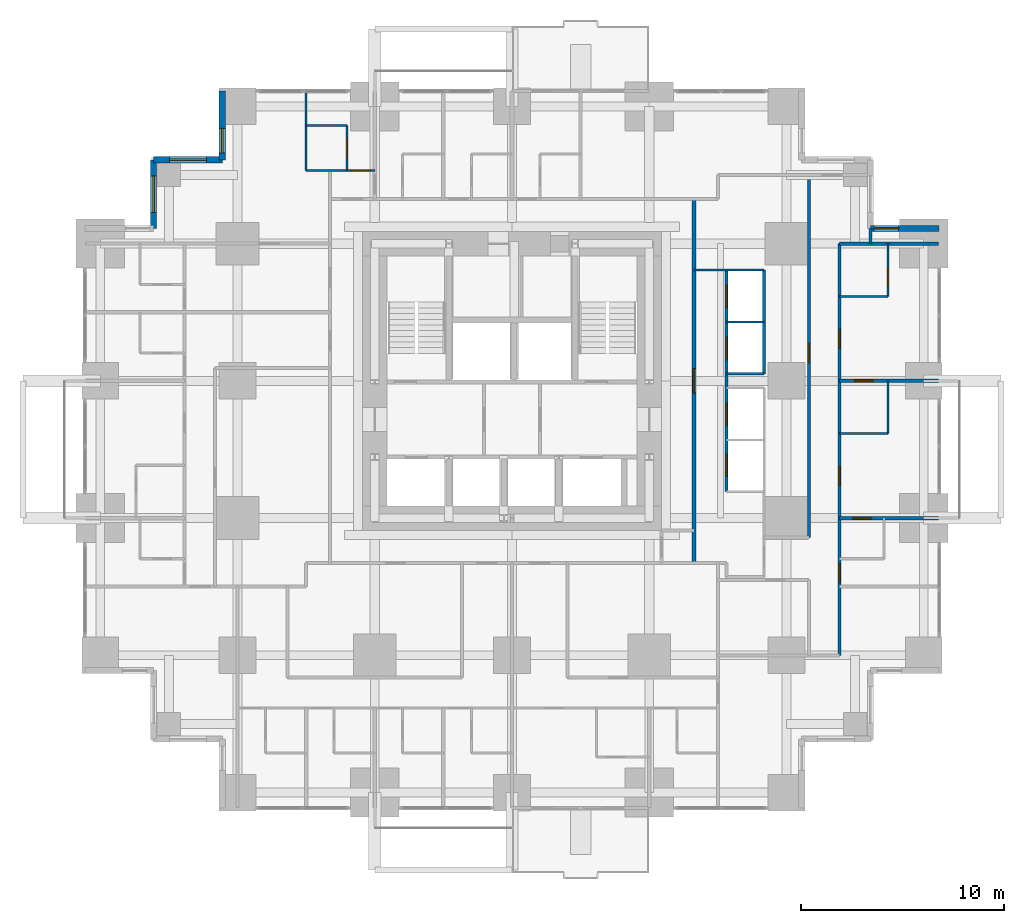
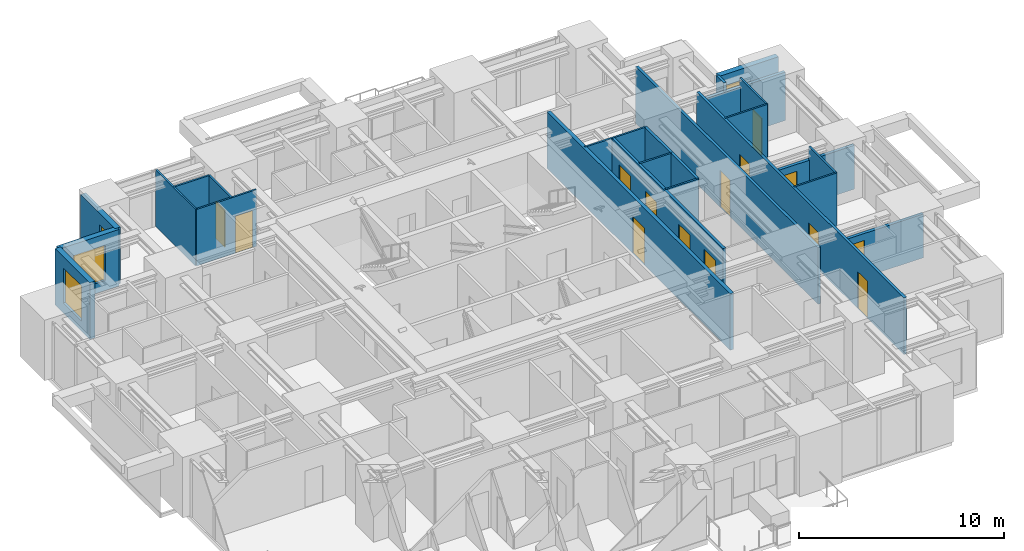
# One storey, part 10 of 13: 24 walls, 14 doors, 4 windows, 18 openings.
"""IFC4 building model written with IfcOpenShell, lengths in metres."""

from ifc_helpers import new_model, si_unit, direction, frame, frame_2d, origin, place, context, subcontext, project, spatial, rectangle, extrude, material, layer, layer_set, type_object, element, fill, save


model = new_model("IFC4")

# Units and contexts
model_context = context("Model", 3, precision=1e-05, world=origin(), true_north=direction((0.0, 1.0)))
body_context = subcontext(model_context, "Body", "Model", "MODEL_VIEW")
ifc_project = project(units=[si_unit("LENGTHUNIT", "METRE"), si_unit("AREAUNIT", "SQUARE_METRE"), si_unit("VOLUMEUNIT", "CUBIC_METRE"), si_unit("PLANEANGLEUNIT", "RADIAN"), si_unit("MASSUNIT", "GRAM", prefix="KILO")], contexts=[model_context])

# Site, building, storey
site_placement = place(None, origin())
site = spatial("IfcSite", under=ifc_project, at=site_placement, CompositionType="ELEMENT")
building_placement = place(site_placement, origin())
building = spatial("IfcBuilding", under=site, at=building_placement, Name="Nyansa Garden Tower", CompositionType="ELEMENT")
storey_placement = place(building_placement, frame((0.0, 0.0, 83.699951171875)))
storey = spatial("IfcBuildingStorey", under=building, at=storey_placement, Name="L22", CompositionType="ELEMENT", Elevation=83.699951171875)

# Wall, opening, door
ifc_material_1 = material(Name="Dense blockwork, plastered both sides, 55 dB", Category="masonry")
ifc_layer_1 = layer(ifc_material_1, 0.175048828125)
ifc_layer_set_1 = layer_set([ifc_layer_1], Name="Acoustic party wall PW175")
wall_type_1 = type_object("IfcWallType", Name="Acoustic party wall PW175", PredefinedType="PARTITIONING", material=ifc_layer_set_1)
wall_1_placement = place(storey_placement, frame((36.35009765625, 13.5, 0.0), z_axis=(0.0, 0.0, 1.0), x_axis=(1.0, 0.0, 0.0)))
wall_1 = element("IfcWall", 1, at=wall_1_placement, inside=storey, type_object=wall_type_1, Name="Party wall", PredefinedType="PARTITIONING", context=body_context, shape_type="SweptSolid", body=[
    extrude(rectangle(XDim=4.8837890625, YDim=0.175048828125, at=frame_2d((2.44189453125, 0.0))), origin(), (0.0, 0.0, 1.0), 2.610107421875),
])
opening_1_placement = place(wall_1_placement, frame((0.64990234375, 0.0, 0.0)))
opening_1 = element("IfcOpeningElement", 2, at=opening_1_placement, cuts=wall_1, Name="Opening D02", PredefinedType="OPENING", context=body_context, shape_type="SweptSolid", body=[
    extrude(rectangle(XDim=0.89990234375, YDim=2.199951171875, at=frame_2d((0.449951171875, 1.10009765625))), frame((0.0, 0.097412109375, 0.0), z_axis=(0.0, -1.0, 0.0), x_axis=(1.0, 0.0, 0.0)), (0.0, 0.0, 1.0), 0.195068359375),
])
ifc_material_2 = material(Name="Timber flush door", Category="wood")
door_type_1 = type_object("IfcDoorType", Name="En-suite door D02 900x2200", OperationType="SINGLE_SWING_RIGHT", PredefinedType="DOOR", material=ifc_material_2)
door_1_placement = place(opening_1_placement, origin())
door_1 = element("IfcDoor", 3, at=door_1_placement, inside=storey, type_object=door_type_1, Name="Door L22-040", OperationType="SINGLE_SWING_RIGHT", OverallHeight=2.199951171875, OverallWidth=0.89990234375, PredefinedType="DOOR", context=body_context, shape_type="SweptSolid", body=[
    extrude(rectangle(XDim=0.89990234375, YDim=2.199951171875, at=frame_2d((0.449951171875, 1.10009765625))), frame((0.0, 0.02490234375, 0.0), z_axis=(0.0, -1.0, 0.0), x_axis=(1.0, 0.0, 0.0)), (0.0, 0.0, 1.0), 0.050048828125),
])
fill(opening_1, door_1)

wall_2_placement = place(storey_placement, frame((36.35009765625, 20.25, 0.0), z_axis=(0.0, 0.0, 1.0), x_axis=(1.0, 0.0, 0.0)))
wall_2 = element("IfcWall", 4, at=wall_2_placement, inside=storey, type_object=wall_type_1, Name="Party wall", PredefinedType="PARTITIONING", context=body_context, shape_type="SweptSolid", body=[
    extrude(rectangle(XDim=4.8837890625, YDim=0.175048828125, at=frame_2d((2.44189453125, 0.0))), origin(), (0.0, 0.0, 1.0), 2.610107421875),
])
opening_2_placement = place(wall_2_placement, frame((0.75, 0.0, 0.0)))
opening_2 = element("IfcOpeningElement", 5, at=opening_2_placement, cuts=wall_2, Name="Opening D02", PredefinedType="OPENING", context=body_context, shape_type="SweptSolid", body=[
    extrude(rectangle(XDim=0.89990234375, YDim=2.199951171875, at=frame_2d((0.449951171875, 1.10009765625))), frame((0.0, 0.097412109375, 0.0), z_axis=(0.0, -1.0, 0.0), x_axis=(1.0, 0.0, 0.0)), (0.0, 0.0, 1.0), 0.195068359375),
])
door_2_placement = place(opening_2_placement, origin())
door_2 = element("IfcDoor", 6, at=door_2_placement, inside=storey, type_object=door_type_1, Name="Door L22-038", OperationType="SINGLE_SWING_RIGHT", OverallHeight=2.199951171875, OverallWidth=0.89990234375, PredefinedType="DOOR", context=body_context, shape_type="SweptSolid", body=[
    extrude(rectangle(XDim=0.89990234375, YDim=2.199951171875, at=frame_2d((0.449951171875, 1.10009765625))), frame((0.0, 0.02490234375, 0.0), z_axis=(0.0, -1.0, 0.0), x_axis=(1.0, 0.0, 0.0)), (0.0, 0.0, 1.0), 0.050048828125),
])
fill(opening_2, door_2)

# Wall
wall_3_placement = place(storey_placement, frame((36.35009765625, 27.0, 0.0), z_axis=(0.0, 0.0, 1.0), x_axis=(1.0, 0.0, 0.0)))
element("IfcWall", 7, at=wall_3_placement, inside=storey, type_object=wall_type_1, Name="Party wall", PredefinedType="PARTITIONING", context=body_context, shape_type="SweptSolid", body=[
    extrude(rectangle(XDim=4.8837890625, YDim=0.175048828125, at=frame_2d((2.44189453125, 0.0))), origin(), (0.0, 0.0, 1.0), 2.876953125),
])

# Wall, opening, door
ifc_material_3 = material(Name="Concrete blockwork, plastered, 60 minute fire resisting", Category="masonry")
ifc_layer_2 = layer(ifc_material_3, 0.199951171875)
ifc_layer_set_2 = layer_set([ifc_layer_2], Name="Corridor wall FW200")
wall_type_2 = type_object("IfcWallType", Name="Corridor wall FW200", PredefinedType="PARTITIONING", material=ifc_layer_set_2)
wall_4_placement = place(storey_placement, frame((29.199951171875, 11.300048828125, 0.0), z_axis=(0.0, 0.0, 1.0), x_axis=(0.0, 1.0, 0.0)))
wall_4 = element("IfcWall", 8, at=wall_4_placement, inside=storey, type_object=wall_type_2, Name="Corridor wall", PredefinedType="PARTITIONING", context=body_context, shape_type="SweptSolid", body=[
    extrude(rectangle(XDim=17.89990234375, YDim=0.199951171875, at=frame_2d((8.949951171875, 0.0))), origin(), (0.0, 0.0, 1.0), 3.375),
])
opening_3_placement = place(wall_4_placement, frame((8.35009765625, 0.0, 0.0)))
opening_3 = element("IfcOpeningElement", 9, at=opening_3_placement, cuts=wall_4, Name="Opening D06", PredefinedType="OPENING", context=body_context, shape_type="SweptSolid", body=[
    extrude(rectangle(XDim=1.199951171875, YDim=2.199951171875, at=frame_2d((0.60009765625, 1.10009765625))), frame((0.0, 0.10986328125, 0.0), z_axis=(0.0, -1.0, 0.0), x_axis=(1.0, 0.0, 0.0)), (0.0, 0.0, 1.0), 0.219970703125),
])
ifc_material_4 = material(Name="Steel door, 120 minute fire resisting", Category="steel")
door_type_2 = type_object("IfcDoorType", Name="Lobby door D06 1200x2200", OperationType="DOUBLE_DOOR_SINGLE_SWING", PredefinedType="DOOR", material=ifc_material_4)
door_3_placement = place(opening_3_placement, origin())
door_3 = element("IfcDoor", 10, at=door_3_placement, inside=storey, type_object=door_type_2, Name="Low-rise lift lobby door", OperationType="DOUBLE_DOOR_SINGLE_SWING", OverallHeight=2.199951171875, OverallWidth=1.199951171875, PredefinedType="DOOR", context=body_context, shape_type="SweptSolid", body=[
    extrude(rectangle(XDim=1.199951171875, YDim=2.199951171875, at=frame_2d((0.60009765625, 1.10009765625))), frame((0.0, 0.02490234375, 0.0), z_axis=(0.0, -1.0, 0.0), x_axis=(1.0, 0.0, 0.0)), (0.0, 0.0, 1.0), 0.050048828125),
])
fill(opening_3, door_3)

# Walls
ifc_material_5 = material(Name="Steel-stud shaft wall, two layers fire-rated board, EI 120", Category="steel")
ifc_layer_3 = layer(ifc_material_5, 0.10009765625)
ifc_layer_set_3 = layer_set([ifc_layer_3], Name="Lift shaft wall SW100")
wall_type_3 = type_object("IfcWallType", Name="Lift shaft wall SW100", PredefinedType="SHEAR", material=ifc_layer_set_3)
wall_5_placement = place(storey_placement, frame((29.199951171875, 25.699951171875, 0.0), z_axis=(0.0, 0.0, 1.0), x_axis=(1.0, 0.0, 0.0)))
element("IfcWall", 11, at=wall_5_placement, inside=storey, type_object=wall_type_3, Name="Lift shaft wall", PredefinedType="SHEAR", context=body_context, shape_type="SweptSolid", body=[
    extrude(rectangle(XDim=3.449951171875, YDim=0.10009765625, at=frame_2d((1.72509765625, 0.0))), origin(), (0.0, 0.0, 1.0), 3.375),
])
for number, where, z_axis, x_axis, name in (
    (12, (30.800048828125, 20.60009765625, 0.0), (0.0, 0.0, 1.0), (1.0, 0.0, 0.0), "Lift shaft wall"),
    (13, (30.800048828125, 23.14990234375, 0.0), (0.0, 0.0, 1.0), (1.0, 0.0, 0.0), "Lift shaft wall"),
):
    element("IfcWall", number, at=place(storey_placement, frame(where, z_axis=z_axis, x_axis=x_axis)), inside=storey, type_object=wall_type_3, Name=name, PredefinedType="SHEAR", context=body_context, shape_type="SweptSolid", body=[
        extrude(rectangle(XDim=1.849853515625, YDim=0.10009765625, at=frame_2d((0.9248046875, 0.0))), origin(), (0.0, 0.0, 1.0), 3.375),
    ])

# Wall, openings, doors
ifc_material_6 = material(Name="Blockwork, plastered both sides", Category="masonry")
ifc_layer_4 = layer(ifc_material_6, 0.14990234375)
ifc_layer_set_4 = layer_set([ifc_layer_4], Name="Partition PW150")
wall_type_4 = type_object("IfcWallType", Name="Partition PW150", PredefinedType="PARTITIONING", material=ifc_layer_set_4)
wall_6_placement = place(storey_placement, frame((30.800048828125, 14.800048828125, 0.0), z_axis=(0.0, 0.0, 1.0), x_axis=(0.0, 1.0, 0.0)))
wall_6 = element("IfcWall", 14, at=wall_6_placement, inside=storey, type_object=wall_type_4, Name="Partition", PredefinedType="PARTITIONING", context=body_context, shape_type="SweptSolid", body=[
    extrude(rectangle(XDim=10.89990234375, YDim=0.14990234375, at=frame_2d((5.449951171875, 0.0))), origin(), (0.0, 0.0, 1.0), 3.375),
])
opening_4_placement = place(wall_6_placement, frame((0.75, 0.0, 0.0)))
opening_4 = element("IfcOpeningElement", 15, at=opening_4_placement, cuts=wall_6, Name="Opening LD-A", PredefinedType="OPENING", context=body_context, shape_type="SweptSolid", body=[
    extrude(rectangle(XDim=1.10009765625, YDim=2.199951171875, at=frame_2d((0.550048828125, 1.10009765625))), frame((0.0, 0.0849609375, 0.0), z_axis=(0.0, -1.0, 0.0), x_axis=(1.0, 0.0, 0.0)), (0.0, 0.0, 1.0), 0.169921875),
])
opening_5_placement = place(wall_6_placement, frame((3.25, 0.0, 0.0)))
opening_5 = element("IfcOpeningElement", 16, at=opening_5_placement, cuts=wall_6, Name="Opening LD-A", PredefinedType="OPENING", context=body_context, shape_type="SweptSolid", body=[
    extrude(rectangle(XDim=1.10009765625, YDim=2.199951171875, at=frame_2d((0.550048828125, 1.10009765625))), frame((0.0, 0.0849609375, 0.0), z_axis=(0.0, -1.0, 0.0), x_axis=(1.0, 0.0, 0.0)), (0.0, 0.0, 1.0), 0.169921875),
])
opening_6_placement = place(wall_6_placement, frame((6.5, 0.0, 0.0)))
opening_6 = element("IfcOpeningElement", 17, at=opening_6_placement, cuts=wall_6, Name="Opening LD-A", PredefinedType="OPENING", context=body_context, shape_type="SweptSolid", body=[
    extrude(rectangle(XDim=1.10009765625, YDim=2.199951171875, at=frame_2d((0.550048828125, 1.10009765625))), frame((0.0, 0.0849609375, 0.0), z_axis=(0.0, -1.0, 0.0), x_axis=(1.0, 0.0, 0.0)), (0.0, 0.0, 1.0), 0.169921875),
])
opening_7_placement = place(wall_6_placement, frame((9.050048828125, 0.0, 0.0)))
opening_7 = element("IfcOpeningElement", 18, at=opening_7_placement, cuts=wall_6, Name="Opening LD-A", PredefinedType="OPENING", context=body_context, shape_type="SweptSolid", body=[
    extrude(rectangle(XDim=1.10009765625, YDim=2.199951171875, at=frame_2d((0.550048828125, 1.10009765625))), frame((0.0, 0.0849609375, 0.0), z_axis=(0.0, -1.0, 0.0), x_axis=(1.0, 0.0, 0.0)), (0.0, 0.0, 1.0), 0.169921875),
])
ifc_material_7 = material(Name="Stainless steel centre-opening landing door of the low-rise lift, E 120", Category="steel")
door_type_3 = type_object("IfcDoorType", Name="Lift landing door LD-A 1100x2200", OperationType="DOUBLE_DOOR_SLIDING", PredefinedType="DOOR", material=ifc_material_7)
door_4_placement = place(opening_4_placement, origin())
door_4 = element("IfcDoor", 19, at=door_4_placement, inside=storey, type_object=door_type_3, Name="Landing door A1", OperationType="DOUBLE_DOOR_SLIDING", OverallHeight=2.199951171875, OverallWidth=1.10009765625, PredefinedType="DOOR", context=body_context, shape_type="SweptSolid", body=[
    extrude(rectangle(XDim=1.10009765625, YDim=2.199951171875, at=frame_2d((0.550048828125, 1.10009765625))), frame((0.0, 0.02490234375, 0.0), z_axis=(0.0, -1.0, 0.0), x_axis=(1.0, 0.0, 0.0)), (0.0, 0.0, 1.0), 0.050048828125),
])
fill(opening_4, door_4)
door_5_placement = place(opening_5_placement, origin())
door_5 = element("IfcDoor", 20, at=door_5_placement, inside=storey, type_object=door_type_3, Name="Landing door A2", OperationType="DOUBLE_DOOR_SLIDING", OverallHeight=2.199951171875, OverallWidth=1.10009765625, PredefinedType="DOOR", context=body_context, shape_type="SweptSolid", body=[
    extrude(rectangle(XDim=1.10009765625, YDim=2.199951171875, at=frame_2d((0.550048828125, 1.10009765625))), frame((0.0, 0.02490234375, 0.0), z_axis=(0.0, -1.0, 0.0), x_axis=(1.0, 0.0, 0.0)), (0.0, 0.0, 1.0), 0.050048828125),
])
fill(opening_5, door_5)
door_6_placement = place(opening_6_placement, origin())
door_6 = element("IfcDoor", 21, at=door_6_placement, inside=storey, type_object=door_type_3, Name="Landing door A3", OperationType="DOUBLE_DOOR_SLIDING", OverallHeight=2.199951171875, OverallWidth=1.10009765625, PredefinedType="DOOR", context=body_context, shape_type="SweptSolid", body=[
    extrude(rectangle(XDim=1.10009765625, YDim=2.199951171875, at=frame_2d((0.550048828125, 1.10009765625))), frame((0.0, 0.02490234375, 0.0), z_axis=(0.0, -1.0, 0.0), x_axis=(1.0, 0.0, 0.0)), (0.0, 0.0, 1.0), 0.050048828125),
])
fill(opening_6, door_6)
door_7_placement = place(opening_7_placement, origin())
door_7 = element("IfcDoor", 22, at=door_7_placement, inside=storey, type_object=door_type_3, Name="Landing door A4", OperationType="DOUBLE_DOOR_SLIDING", OverallHeight=2.199951171875, OverallWidth=1.10009765625, PredefinedType="DOOR", context=body_context, shape_type="SweptSolid", body=[
    extrude(rectangle(XDim=1.10009765625, YDim=2.199951171875, at=frame_2d((0.550048828125, 1.10009765625))), frame((0.0, 0.02490234375, 0.0), z_axis=(0.0, -1.0, 0.0), x_axis=(1.0, 0.0, 0.0)), (0.0, 0.0, 1.0), 0.050048828125),
])
fill(opening_7, door_7)

# Wall
wall_7_placement = place(storey_placement, frame((32.64990234375, 20.60009765625, 0.0), z_axis=(0.0, 0.0, 1.0), x_axis=(0.0, 1.0, 0.0)))
element("IfcWall", 23, at=wall_7_placement, inside=storey, type_object=wall_type_4, Name="Partition", PredefinedType="PARTITIONING", context=body_context, shape_type="SweptSolid", body=[
    extrude(rectangle(XDim=5.099853515625, YDim=0.14990234375, at=frame_2d((2.5498046875, 0.0))), origin(), (0.0, 0.0, 1.0), 3.375),
])

# Wall, opening, door
wall_8_placement = place(storey_placement, frame((34.85009765625, 12.550048828125, 0.0), z_axis=(0.0, 0.0, 1.0), x_axis=(0.0, 1.0, 0.0)))
wall_8 = element("IfcWall", 24, at=wall_8_placement, inside=storey, type_object=wall_type_4, Name="Partition", PredefinedType="PARTITIONING", context=body_context, shape_type="SweptSolid", body=[
    extrude(rectangle(XDim=17.824951171875, YDim=0.14990234375, at=frame_2d((8.91259765625, 0.0))), origin(), (0.0, 0.0, 1.0), 3.375),
])
opening_8_placement = place(wall_8_placement, frame((8.60009765625, 0.0, 0.0)))
opening_8 = element("IfcOpeningElement", 25, at=opening_8_placement, cuts=wall_8, Name="Opening D01", PredefinedType="OPENING", context=body_context, shape_type="SweptSolid", body=[
    extrude(rectangle(XDim=0.949951171875, YDim=2.199951171875, at=frame_2d((0.47509765625, 1.10009765625))), frame((0.0, 0.0849609375, 0.0), z_axis=(0.0, -1.0, 0.0), x_axis=(1.0, 0.0, 0.0)), (0.0, 0.0, 1.0), 0.169921875),
])
ifc_material_8 = material(Name="Timber flush door, 30 minute fire resisting", Category="wood")
door_type_4 = type_object("IfcDoorType", Name="Bedroom door D01 950x2200", OperationType="SINGLE_SWING_LEFT", PredefinedType="DOOR", material=ifc_material_8)
door_8_placement = place(opening_8_placement, origin())
door_8 = element("IfcDoor", 26, at=door_8_placement, inside=storey, type_object=door_type_4, Name="Door L22-042", OperationType="SINGLE_SWING_LEFT", OverallHeight=2.199951171875, OverallWidth=0.949951171875, PredefinedType="DOOR", context=body_context, shape_type="SweptSolid", body=[
    extrude(rectangle(XDim=0.949951171875, YDim=2.199951171875, at=frame_2d((0.47509765625, 1.10009765625))), frame((0.0, 0.02490234375, 0.0), z_axis=(0.0, -1.0, 0.0), x_axis=(1.0, 0.0, 0.0)), (0.0, 0.0, 1.0), 0.050048828125),
])
fill(opening_8, door_8)

# Wall, openings, doors
wall_9_placement = place(storey_placement, frame((36.35009765625, 6.75, 0.0), z_axis=(0.0, 0.0, 1.0), x_axis=(0.0, 1.0, 0.0)))
wall_9 = element("IfcWall", 27, at=wall_9_placement, inside=storey, type_object=wall_type_4, Name="Partition", PredefinedType="PARTITIONING", context=body_context, shape_type="SweptSolid", body=[
    extrude(rectangle(XDim=20.25, YDim=0.14990234375, at=frame_2d((10.125, 0.0))), origin(), (0.0, 0.0, 1.0), 3.375),
])
opening_9_placement = place(wall_9_placement, frame((15.10009765625, 0.0, 0.0)))
opening_9 = element("IfcOpeningElement", 28, at=opening_9_placement, cuts=wall_9, Name="Opening D14", PredefinedType="OPENING", context=body_context, shape_type="SweptSolid", body=[
    extrude(rectangle(XDim=0.949951171875, YDim=2.199951171875, at=frame_2d((0.47509765625, 1.10009765625))), frame((0.0, 0.0849609375, 0.0), z_axis=(0.0, -1.0, 0.0), x_axis=(1.0, 0.0, 0.0)), (0.0, 0.0, 1.0), 0.169921875),
])
opening_10_placement = place(wall_9_placement, frame((8.35009765625, 0.0, 0.0)))
opening_10 = element("IfcOpeningElement", 29, at=opening_10_placement, cuts=wall_9, Name="Opening D14", PredefinedType="OPENING", context=body_context, shape_type="SweptSolid", body=[
    extrude(rectangle(XDim=0.949951171875, YDim=2.199951171875, at=frame_2d((0.47509765625, 1.10009765625))), frame((0.0, 0.0849609375, 0.0), z_axis=(0.0, -1.0, 0.0), x_axis=(1.0, 0.0, 0.0)), (0.0, 0.0, 1.0), 0.169921875),
])
opening_11_placement = place(wall_9_placement, frame((3.574951171875, 0.0, 0.0)))
opening_11 = element("IfcOpeningElement", 30, at=opening_11_placement, cuts=wall_9, Name="Opening D14", PredefinedType="OPENING", context=body_context, shape_type="SweptSolid", body=[
    extrude(rectangle(XDim=0.949951171875, YDim=2.199951171875, at=frame_2d((0.47509765625, 1.10009765625))), frame((0.0, 0.0849609375, 0.0), z_axis=(0.0, -1.0, 0.0), x_axis=(1.0, 0.0, 0.0)), (0.0, 0.0, 1.0), 0.169921875),
])
ifc_material_9 = material(Name="Timber flush door, 60 minute fire resisting, self-closing", Category="wood")
door_type_5 = type_object("IfcDoorType", Name="Studio entrance door D14 950x2200", OperationType="SINGLE_SWING_LEFT", PredefinedType="DOOR", material=ifc_material_9)
door_9_placement = place(opening_9_placement, origin())
door_9 = element("IfcDoor", 31, at=door_9_placement, inside=storey, type_object=door_type_5, Name="Door L22-035", OperationType="SINGLE_SWING_LEFT", OverallHeight=2.199951171875, OverallWidth=0.949951171875, PredefinedType="DOOR", context=body_context, shape_type="SweptSolid", body=[
    extrude(rectangle(XDim=0.949951171875, YDim=2.199951171875, at=frame_2d((0.47509765625, 1.10009765625))), frame((0.0, 0.02490234375, 0.0), z_axis=(0.0, -1.0, 0.0), x_axis=(1.0, 0.0, 0.0)), (0.0, 0.0, 1.0), 0.050048828125),
])
fill(opening_9, door_9)
door_10_placement = place(opening_10_placement, origin())
door_10 = element("IfcDoor", 32, at=door_10_placement, inside=storey, type_object=door_type_5, Name="Door L22-037", OperationType="SINGLE_SWING_LEFT", OverallHeight=2.199951171875, OverallWidth=0.949951171875, PredefinedType="DOOR", context=body_context, shape_type="SweptSolid", body=[
    extrude(rectangle(XDim=0.949951171875, YDim=2.199951171875, at=frame_2d((0.47509765625, 1.10009765625))), frame((0.0, 0.02490234375, 0.0), z_axis=(0.0, -1.0, 0.0), x_axis=(1.0, 0.0, 0.0)), (0.0, 0.0, 1.0), 0.050048828125),
])
fill(opening_10, door_10)
door_11_placement = place(opening_11_placement, origin())
door_11 = element("IfcDoor", 33, at=door_11_placement, inside=storey, type_object=door_type_5, Name="Door L22-039", OperationType="SINGLE_SWING_LEFT", OverallHeight=2.199951171875, OverallWidth=0.949951171875, PredefinedType="DOOR", context=body_context, shape_type="SweptSolid", body=[
    extrude(rectangle(XDim=0.949951171875, YDim=2.199951171875, at=frame_2d((0.47509765625, 1.10009765625))), frame((0.0, 0.02490234375, 0.0), z_axis=(0.0, -1.0, 0.0), x_axis=(1.0, 0.0, 0.0)), (0.0, 0.0, 1.0), 0.050048828125),
])
fill(opening_11, door_11)

# Wall
wall_10_placement = place(storey_placement, frame((37.875, 27.0, 0.0), z_axis=(0.0, 0.0, 1.0), x_axis=(0.0, 1.0, 0.0)))
element("IfcWall", 34, at=wall_10_placement, inside=storey, type_object=wall_type_4, Name="Partition", PredefinedType="PARTITIONING", context=body_context, shape_type="SweptSolid", body=[
    extrude(rectangle(XDim=0.73388671875, YDim=0.14990234375, at=frame_2d((0.366943359375, 0.0))), origin(), (0.0, 0.0, 1.0), 3.375),
])

# Wall, opening, window
ifc_material_10 = material(Name="Turquoise glazed tile on concrete blockwork", Category="masonry")
ifc_layer_5 = layer(ifc_material_10, 0.300048828125)
ifc_layer_set_5 = layer_set([ifc_layer_5], Name="Tiled corner wall TW300")
wall_type_5 = type_object("IfcWallType", Name="Tiled corner wall TW300", PredefinedType="SOLIDWALL", material=ifc_layer_set_5)
wall_11_placement = place(storey_placement, frame((41.25, 27.75, 0.0), z_axis=(0.0, 0.0, 1.0), x_axis=(-1.0, 0.0, 0.0)))
wall_11 = element("IfcWall", 35, at=wall_11_placement, inside=storey, type_object=wall_type_5, Name="Tiled corner wall L22", PredefinedType="SOLIDWALL", context=body_context, shape_type="SweptSolid", body=[
    extrude(rectangle(XDim=3.375, YDim=0.300048828125, at=frame_2d((1.6875, 0.0))), origin(), (0.0, 0.0, 1.0), 3.375),
])
opening_12_placement = place(wall_11_placement, frame((1.982421875, 0.0, 0.89990234375)))
opening_12 = element("IfcOpeningElement", 36, at=opening_12_placement, cuts=wall_11, Name="Opening W4", PredefinedType="OPENING", context=body_context, shape_type="SweptSolid", body=[
    extrude(rectangle(XDim=1.199951171875, YDim=1.800048828125, at=frame_2d((0.60009765625, 0.89990234375))), frame((0.0, 0.159912109375, 0.0), z_axis=(0.0, -1.0, 0.0), x_axis=(1.0, 0.0, 0.0)), (0.0, 0.0, 1.0), 0.320068359375),
])
ifc_material_11 = material(Name="Black aluminium frame, dark tinted double glazing", Category="aluminium")
window_type_1 = type_object("IfcWindowType", Name="Window W4 1200x1800", PartitioningType="SINGLE_PANEL", PredefinedType="WINDOW", material=ifc_material_11)
window_1_placement = place(opening_12_placement, origin())
window_1 = element("IfcWindow", 37, at=window_1_placement, inside=storey, type_object=window_type_1, Name="Corner window L22", OverallHeight=1.800048828125, OverallWidth=1.199951171875, PartitioningType="SINGLE_PANEL", PredefinedType="WINDOW", context=body_context, shape_type="SweptSolid", body=[
    extrude(rectangle(XDim=1.199951171875, YDim=1.800048828125, at=frame_2d((0.60009765625, 0.89990234375))), frame((0.0, 0.030029296875, 0.0), z_axis=(0.0, -1.0, 0.0), x_axis=(1.0, 0.0, 0.0)), (0.0, 0.0, 1.0), 0.06005859375),
])
fill(opening_12, window_1)

wall_12_placement = place(storey_placement, frame((6.0, 34.5, 0.0), z_axis=(0.0, 0.0, 1.0), x_axis=(0.0, -1.0, 0.0)))
wall_12 = element("IfcWall", 38, at=wall_12_placement, inside=storey, type_object=wall_type_5, Name="Tiled corner wall L22", PredefinedType="SOLIDWALL", context=body_context, shape_type="SweptSolid", body=[
    extrude(rectangle(XDim=3.375, YDim=0.300048828125, at=frame_2d((1.6875, 0.0))), origin(), (0.0, 0.0, 1.0), 3.375),
])
opening_13_placement = place(wall_12_placement, frame((1.83251953125, 0.0, 0.89990234375)))
opening_13 = element("IfcOpeningElement", 39, at=opening_13_placement, cuts=wall_12, Name="Opening W4", PredefinedType="OPENING", context=body_context, shape_type="SweptSolid", body=[
    extrude(rectangle(XDim=1.199951171875, YDim=1.800048828125, at=frame_2d((0.60009765625, 0.89990234375))), frame((0.0, 0.159912109375, 0.0), z_axis=(0.0, -1.0, 0.0), x_axis=(1.0, 0.0, 0.0)), (0.0, 0.0, 1.0), 0.320068359375),
])
window_2_placement = place(opening_13_placement, origin())
window_2 = element("IfcWindow", 40, at=window_2_placement, inside=storey, type_object=window_type_1, Name="Corner window L22", OverallHeight=1.800048828125, OverallWidth=1.199951171875, PartitioningType="SINGLE_PANEL", PredefinedType="WINDOW", context=body_context, shape_type="SweptSolid", body=[
    extrude(rectangle(XDim=1.199951171875, YDim=1.800048828125, at=frame_2d((0.60009765625, 0.89990234375))), frame((0.0, 0.030029296875, 0.0), z_axis=(0.0, -1.0, 0.0), x_axis=(1.0, 0.0, 0.0)), (0.0, 0.0, 1.0), 0.06005859375),
])
fill(opening_13, window_2)

wall_13_placement = place(storey_placement, frame((6.0, 31.125, 0.0), z_axis=(0.0, 0.0, 1.0), x_axis=(-1.0, 0.0, 0.0)))
wall_13 = element("IfcWall", 41, at=wall_13_placement, inside=storey, type_object=wall_type_5, Name="Tiled corner wall L22", PredefinedType="SOLIDWALL", context=body_context, shape_type="SweptSolid", body=[
    extrude(rectangle(XDim=3.375, YDim=0.300048828125, at=frame_2d((1.6875, 0.0))), origin(), (0.0, 0.0, 1.0), 3.375),
])
opening_14_placement = place(wall_13_placement, frame((0.78759765625, 0.0, 0.60009765625)))
opening_14 = element("IfcOpeningElement", 42, at=opening_14_placement, cuts=wall_13, Name="Opening W2", PredefinedType="OPENING", context=body_context, shape_type="SweptSolid", body=[
    extrude(rectangle(XDim=1.800048828125, YDim=2.10009765625, at=frame_2d((0.89990234375, 1.050048828125))), frame((0.0, 0.159912109375, 0.0), z_axis=(0.0, -1.0, 0.0), x_axis=(1.0, 0.0, 0.0)), (0.0, 0.0, 1.0), 0.320068359375),
])
ifc_material_12 = material(Name="Black aluminium frame, dark tinted double glazing", Category="aluminium")
window_type_2 = type_object("IfcWindowType", Name="Window W2 1800x2100", PartitioningType="SINGLE_PANEL", PredefinedType="WINDOW", material=ifc_material_12)
window_3_placement = place(opening_14_placement, origin())
window_3 = element("IfcWindow", 43, at=window_3_placement, inside=storey, type_object=window_type_2, Name="Corner window L22", OverallHeight=2.10009765625, OverallWidth=1.800048828125, PartitioningType="SINGLE_PANEL", PredefinedType="WINDOW", context=body_context, shape_type="SweptSolid", body=[
    extrude(rectangle(XDim=1.800048828125, YDim=2.10009765625, at=frame_2d((0.89990234375, 1.050048828125))), frame((0.0, 0.030029296875, 0.0), z_axis=(0.0, -1.0, 0.0), x_axis=(1.0, 0.0, 0.0)), (0.0, 0.0, 1.0), 0.06005859375),
])
fill(opening_14, window_3)

wall_14_placement = place(storey_placement, frame((2.625, 31.125, 0.0), z_axis=(0.0, 0.0, 1.0), x_axis=(0.0, -1.0, 0.0)))
wall_14 = element("IfcWall", 44, at=wall_14_placement, inside=storey, type_object=wall_type_5, Name="Tiled corner wall L22", PredefinedType="SOLIDWALL", context=body_context, shape_type="SweptSolid", body=[
    extrude(rectangle(XDim=3.375, YDim=0.300048828125, at=frame_2d((1.6875, 0.0))), origin(), (0.0, 0.0, 1.0), 3.375),
])
opening_15_placement = place(wall_14_placement, frame((0.78759765625, 0.0, 0.60009765625)))
opening_15 = element("IfcOpeningElement", 45, at=opening_15_placement, cuts=wall_14, Name="Opening W2", PredefinedType="OPENING", context=body_context, shape_type="SweptSolid", body=[
    extrude(rectangle(XDim=1.800048828125, YDim=2.10009765625, at=frame_2d((0.89990234375, 1.050048828125))), frame((0.0, 0.159912109375, 0.0), z_axis=(0.0, -1.0, 0.0), x_axis=(1.0, 0.0, 0.0)), (0.0, 0.0, 1.0), 0.320068359375),
])
window_4_placement = place(opening_15_placement, origin())
window_4 = element("IfcWindow", 46, at=window_4_placement, inside=storey, type_object=window_type_2, Name="Corner window L22", OverallHeight=2.10009765625, OverallWidth=1.800048828125, PartitioningType="SINGLE_PANEL", PredefinedType="WINDOW", context=body_context, shape_type="SweptSolid", body=[
    extrude(rectangle(XDim=1.800048828125, YDim=2.10009765625, at=frame_2d((0.89990234375, 1.050048828125))), frame((0.0, 0.030029296875, 0.0), z_axis=(0.0, -1.0, 0.0), x_axis=(1.0, 0.0, 0.0)), (0.0, 0.0, 1.0), 0.06005859375),
])
fill(opening_15, window_4)

# Wall
ifc_material_13 = material(Name="Moisture resistant board on steel studs, tiled", Category="steel")
ifc_layer_6 = layer(ifc_material_13, 0.10009765625)
ifc_layer_set_6 = layer_set([ifc_layer_6], Name="Wet wall PW100")
wall_type_6 = type_object("IfcWallType", Name="Wet wall PW100", PredefinedType="PARTITIONING", material=ifc_layer_set_6)
wall_15_placement = place(storey_placement, frame((10.125, 30.60009765625, 0.0), z_axis=(0.0, 0.0, 1.0), x_axis=(0.0, 1.0, 0.0)))
element("IfcWall", 47, at=wall_15_placement, inside=storey, type_object=wall_type_6, Name="Wet wall", PredefinedType="PARTITIONING", context=body_context, shape_type="SweptSolid", body=[
    extrude(rectangle(XDim=3.8837890625, YDim=0.10009765625, at=frame_2d((1.94189453125, 0.0))), origin(), (0.0, 0.0, 1.0), 3.375),
])

# Wall, opening, door
wall_16_placement = place(storey_placement, frame((10.125, 30.60009765625, 0.0), z_axis=(0.0, 0.0, 1.0), x_axis=(1.0, 0.0, 0.0)))
wall_16 = element("IfcWall", 48, at=wall_16_placement, inside=storey, type_object=wall_type_6, Name="Wet wall", PredefinedType="PARTITIONING", context=body_context, shape_type="SweptSolid", body=[
    extrude(rectangle(XDim=3.375, YDim=0.10009765625, at=frame_2d((1.6875, 0.0))), origin(), (0.0, 0.0, 1.0), 3.375),
])
opening_16_placement = place(wall_16_placement, frame((2.199951171875, 0.0, 0.0)))
opening_16 = element("IfcOpeningElement", 49, at=opening_16_placement, cuts=wall_16, Name="Opening D14", PredefinedType="OPENING", context=body_context, shape_type="SweptSolid", body=[
    extrude(rectangle(XDim=0.949951171875, YDim=2.199951171875, at=frame_2d((0.47509765625, 1.10009765625))), frame((0.0, 0.06005859375, 0.0), z_axis=(0.0, -1.0, 0.0), x_axis=(1.0, 0.0, 0.0)), (0.0, 0.0, 1.0), 0.1201171875),
])
door_12_placement = place(opening_16_placement, origin())
door_12 = element("IfcDoor", 50, at=door_12_placement, inside=storey, type_object=door_type_5, Name="Door L22-045", OperationType="SINGLE_SWING_LEFT", OverallHeight=2.199951171875, OverallWidth=0.949951171875, PredefinedType="DOOR", context=body_context, shape_type="SweptSolid", body=[
    extrude(rectangle(XDim=0.949951171875, YDim=2.199951171875, at=frame_2d((0.47509765625, 1.10009765625))), frame((0.0, 0.02490234375, 0.0), z_axis=(0.0, -1.0, 0.0), x_axis=(1.0, 0.0, 0.0)), (0.0, 0.0, 1.0), 0.050048828125),
])
fill(opening_16, door_12)

# Wall
wall_17_placement = place(storey_placement, frame((10.125, 32.800048828125, 0.0), z_axis=(0.0, 0.0, 1.0), x_axis=(1.0, 0.0, 0.0)))
element("IfcWall", 51, at=wall_17_placement, inside=storey, type_object=wall_type_6, Name="Wet wall", PredefinedType="PARTITIONING", context=body_context, shape_type="SweptSolid", body=[
    extrude(rectangle(XDim=2.0, YDim=0.10009765625, at=frame_2d((1.0, 0.0))), origin(), (0.0, 0.0, 1.0), 3.375),
])

# Wall, opening, door
wall_18_placement = place(storey_placement, frame((12.125, 30.60009765625, 0.0), z_axis=(0.0, 0.0, 1.0), x_axis=(0.0, 1.0, 0.0)))
wall_18 = element("IfcWall", 52, at=wall_18_placement, inside=storey, type_object=wall_type_6, Name="Wet wall", PredefinedType="PARTITIONING", context=body_context, shape_type="SweptSolid", body=[
    extrude(rectangle(XDim=2.199951171875, YDim=0.10009765625, at=frame_2d((1.10009765625, 0.0))), origin(), (0.0, 0.0, 1.0), 3.375),
])
opening_17_placement = place(wall_18_placement, frame((0.64990234375, 0.0, 0.0)))
opening_17 = element("IfcOpeningElement", 53, at=opening_17_placement, cuts=wall_18, Name="Opening D02", PredefinedType="OPENING", context=body_context, shape_type="SweptSolid", body=[
    extrude(rectangle(XDim=0.89990234375, YDim=2.199951171875, at=frame_2d((0.449951171875, 1.10009765625))), frame((0.0, 0.06005859375, 0.0), z_axis=(0.0, -1.0, 0.0), x_axis=(1.0, 0.0, 0.0)), (0.0, 0.0, 1.0), 0.1201171875),
])
door_13_placement = place(opening_17_placement, origin())
door_13 = element("IfcDoor", 54, at=door_13_placement, inside=storey, type_object=door_type_1, Name="Door L22-046", OperationType="SINGLE_SWING_RIGHT", OverallHeight=2.199951171875, OverallWidth=0.89990234375, PredefinedType="DOOR", context=body_context, shape_type="SweptSolid", body=[
    extrude(rectangle(XDim=0.89990234375, YDim=2.199951171875, at=frame_2d((0.449951171875, 1.10009765625))), frame((0.0, 0.02490234375, 0.0), z_axis=(0.0, -1.0, 0.0), x_axis=(1.0, 0.0, 0.0)), (0.0, 0.0, 1.0), 0.050048828125),
])
fill(opening_17, door_13)

# Walls
for number, where, z_axis, x_axis, name in (
    (55, (36.35009765625, 17.64990234375, 0.0), (0.0, 0.0, 1.0), (1.0, 0.0, 0.0), "Wet wall"),
    (56, (36.35009765625, 24.39990234375, 0.0), (0.0, 0.0, 1.0), (1.0, 0.0, 0.0), "Wet wall"),
):
    element("IfcWall", number, at=place(storey_placement, frame(where, z_axis=z_axis, x_axis=x_axis)), inside=storey, type_object=wall_type_6, Name=name, PredefinedType="PARTITIONING", context=body_context, shape_type="SweptSolid", body=[
        extrude(rectangle(XDim=2.39990234375, YDim=0.10009765625, at=frame_2d((1.199951171875, 0.0))), origin(), (0.0, 0.0, 1.0), 3.375),
    ])
wall_19_placement = place(storey_placement, frame((38.75, 17.64990234375, 0.0), z_axis=(0.0, 0.0, 1.0), x_axis=(0.0, 1.0, 0.0)))
element("IfcWall", 57, at=wall_19_placement, inside=storey, type_object=wall_type_6, Name="Wet wall", PredefinedType="PARTITIONING", context=body_context, shape_type="SweptSolid", body=[
    extrude(rectangle(XDim=2.60009765625, YDim=0.10009765625, at=frame_2d((1.300048828125, 0.0))), origin(), (0.0, 0.0, 1.0), 3.375),
])

# Wall, opening, door
wall_20_placement = place(storey_placement, frame((38.75, 24.39990234375, 0.0), z_axis=(0.0, 0.0, 1.0), x_axis=(0.0, 1.0, 0.0)))
wall_20 = element("IfcWall", 58, at=wall_20_placement, inside=storey, type_object=wall_type_6, Name="Wet wall", PredefinedType="PARTITIONING", context=body_context, shape_type="SweptSolid", body=[
    extrude(rectangle(XDim=2.60009765625, YDim=0.10009765625, at=frame_2d((1.300048828125, 0.0))), origin(), (0.0, 0.0, 1.0), 3.375),
])
opening_18_placement = place(wall_20_placement, frame((0.5, 0.0, 0.0)))
opening_18 = element("IfcOpeningElement", 59, at=opening_18_placement, cuts=wall_20, Name="Opening D02", PredefinedType="OPENING", context=body_context, shape_type="SweptSolid", body=[
    extrude(rectangle(XDim=0.89990234375, YDim=2.199951171875, at=frame_2d((0.449951171875, 1.10009765625))), frame((0.0, 0.06005859375, 0.0), z_axis=(0.0, -1.0, 0.0), x_axis=(1.0, 0.0, 0.0)), (0.0, 0.0, 1.0), 0.1201171875),
])
door_14_placement = place(opening_18_placement, origin())
door_14 = element("IfcDoor", 60, at=door_14_placement, inside=storey, type_object=door_type_1, Name="Door L22-036", OperationType="SINGLE_SWING_RIGHT", OverallHeight=2.199951171875, OverallWidth=0.89990234375, PredefinedType="DOOR", context=body_context, shape_type="SweptSolid", body=[
    extrude(rectangle(XDim=0.89990234375, YDim=2.199951171875, at=frame_2d((0.449951171875, 1.10009765625))), frame((0.0, 0.02490234375, 0.0), z_axis=(0.0, -1.0, 0.0), x_axis=(1.0, 0.0, 0.0)), (0.0, 0.0, 1.0), 0.050048828125),
])
fill(opening_18, door_14)

save(model, "model.ifc")
